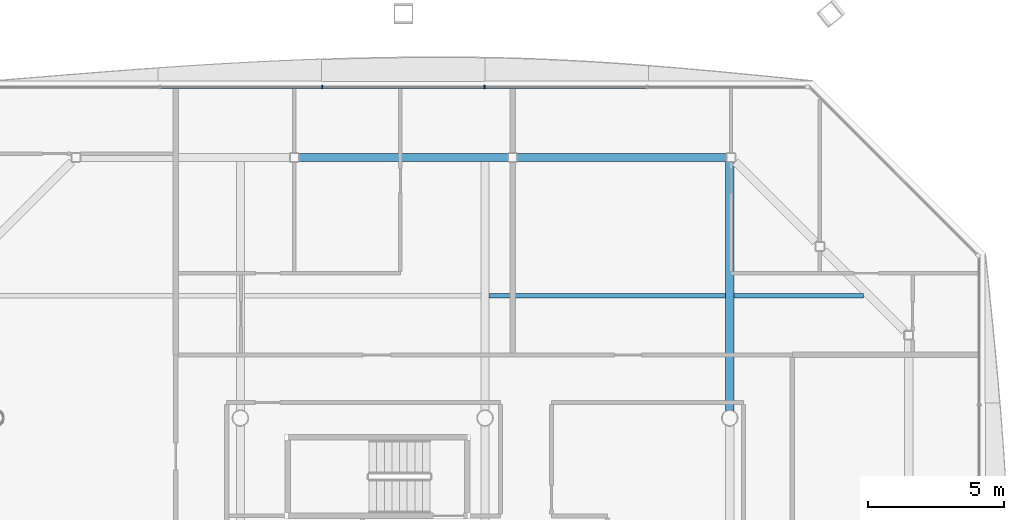
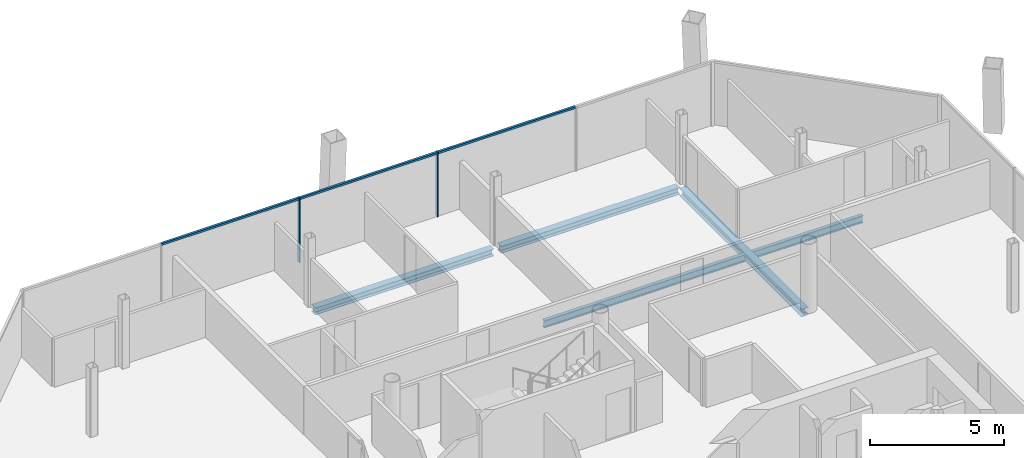
# One storey, part 11 of 20: 5 beams, 5 members, 1 element without a shape of its own.
"""IFC4 building model written with IfcOpenShell, lengths in metres."""

from ifc_helpers import new_model, si_unit, direction, frame, origin, origin_2d, place, context, subcontext, project, spatial, rectangle, i_section, extrude, material, material_profile, profile_set, type_object, element, aggregate, save


model = new_model("IFC4")

# Units and contexts
model_context = context("Model", 3, precision=1e-05, world=origin(), true_north=direction((0.0, 1.0)))
body_context = subcontext(model_context, "Body", "Model", "MODEL_VIEW")
ifc_project = project(units=[si_unit("LENGTHUNIT", "METRE"), si_unit("AREAUNIT", "SQUARE_METRE"), si_unit("VOLUMEUNIT", "CUBIC_METRE"), si_unit("PLANEANGLEUNIT", "RADIAN"), si_unit("MASSUNIT", "GRAM", prefix="KILO")], contexts=[model_context])

# Site, building, storey
site_placement = place(None, origin())
site = spatial("IfcSite", under=ifc_project, at=site_placement, CompositionType="ELEMENT")
building_placement = place(site_placement, origin())
building = spatial("IfcBuilding", under=site, at=building_placement, Name="Tskaro Facet Tower", CompositionType="ELEMENT")
storey_placement = place(building_placement, frame((0.0, 0.0, 178.5)))
storey = spatial("IfcBuildingStorey", under=building, at=storey_placement, Name="L44", CompositionType="ELEMENT", Elevation=178.5)

# Curtain wall, members
ifc_material_1 = material(Name="Bronze anodised aluminium 6063-T6", Category="aluminium")
curtain_wall_type = type_object("IfcCurtainWallType", Name="Bronze residence curtain wall (FW3)", PredefinedType="NOTDEFINED", material=ifc_material_1)
curtain_wall_placement = place(storey_placement, origin())
curtain_wall = element("IfcCurtainWall", 1, at=curtain_wall_placement, inside=storey, type_object=curtain_wall_type, Name="FW3 north facet L44", PredefinedType="NOTDEFINED")
ifc_material_profile_1 = material_profile(ifc_material_1, rectangle(XDim=0.050048828125, YDim=0.139892578125, at=origin_2d()), Name="Mullion 50x140")
ifc_profile_set_1 = profile_set([ifc_material_profile_1], Name="Bronze anodised aluminium 6063-T6")
member_type_1 = type_object("IfcMemberType", Name="FW3 bronze mullion 50x140", PredefinedType="MULLION", material=ifc_profile_set_1)
member_1_placement = place(storey_placement, frame((-0.013916015625, 21.176025390625, 0.0), z_axis=(0.0, 0.0, 1.0), x_axis=(-1.0, 0.0, 0.0)))
member_1 = element("IfcMember", 2, at=member_1_placement, type_object=member_type_1, Name="FW3 north mullion 2", PredefinedType="MULLION", context=body_context, shape_type="SweptSolid", body=[
    extrude(rectangle(XDim=0.050048828125, YDim=0.139892578125, at=origin_2d()), origin(), (0.0, 0.0, 1.0), 2.949951171875),
])
member_2_placement = place(storey_placement, frame((-5.986083984375, 21.176025390625, 0.0), z_axis=(0.0, 0.0, 1.0), x_axis=(-1.0, 0.0, 0.0)))
member_2 = element("IfcMember", 3, at=member_2_placement, type_object=member_type_1, Name="FW3 north mullion 3", PredefinedType="MULLION", context=body_context, shape_type="SweptSolid", body=[
    extrude(rectangle(XDim=0.050048828125, YDim=0.139892578125, at=origin_2d()), origin(), (0.0, 0.0, 1.0), 2.949951171875),
])
ifc_material_profile_2 = material_profile(ifc_material_1, rectangle(XDim=0.10009765625, YDim=0.090087890625, at=origin_2d()), Name="Transom 100x90")
ifc_profile_set_2 = profile_set([ifc_material_profile_2], Name="Bronze anodised aluminium 6063-T6")
member_type_2 = type_object("IfcMemberType", Name="FW3 bronze transom 100x90", PredefinedType="USERDEFINED", material=ifc_profile_set_2)
member_3_placement = place(storey_placement, frame((5.93359375, 21.176025390625, 2.905029296875), z_axis=(-1.0, 0.0, 0.0), x_axis=(0.0, -1.0, 0.0)))
member_3 = element("IfcMember", 4, at=member_3_placement, type_object=member_type_2, Name="FW3 north transom 2.1", ObjectType="TRANSOM", PredefinedType="USERDEFINED", context=body_context, shape_type="SweptSolid", body=[
    extrude(rectangle(XDim=0.10009765625, YDim=0.090087890625, at=origin_2d()), origin(), (0.0, 0.0, 1.0), 5.92236328125),
])
member_4_placement = place(storey_placement, frame((-0.038818359375, 21.176025390625, 2.905029296875), z_axis=(-1.0, 0.0, 0.0), x_axis=(0.0, -1.0, 0.0)))
member_4 = element("IfcMember", 5, at=member_4_placement, type_object=member_type_2, Name="FW3 north transom 3.1", ObjectType="TRANSOM", PredefinedType="USERDEFINED", context=body_context, shape_type="SweptSolid", body=[
    extrude(rectangle(XDim=0.10009765625, YDim=0.090087890625, at=origin_2d()), origin(), (0.0, 0.0, 1.0), 5.92236328125),
])
member_5_placement = place(storey_placement, frame((-6.01123046875, 21.176025390625, 2.905029296875), z_axis=(-1.0, 0.0, 0.0), x_axis=(0.0, -1.0, 0.0)))
member_5 = element("IfcMember", 6, at=member_5_placement, type_object=member_type_2, Name="FW3 north transom 4.1", ObjectType="TRANSOM", PredefinedType="USERDEFINED", context=body_context, shape_type="SweptSolid", body=[
    extrude(rectangle(XDim=0.10009765625, YDim=0.090087890625, at=origin_2d()), origin(), (0.0, 0.0, 1.0), 5.92236328125),
])
aggregate(curtain_wall, [member_1, member_2, member_3, member_4, member_5])

# Beams
ifc_material_2 = material(Name="Steel S355J2", Category="steel")
ifc_material_profile_3 = material_profile(ifc_material_2, i_section(OverallWidth=0.300048828125, OverallDepth=0.320068359375, WebThickness=0.011474609375, FlangeThickness=0.0205078125, FilletRadius=0.027099609375, at=origin_2d()), Name="HE 320 B")
ifc_profile_set_3 = profile_set([ifc_material_profile_3], Name="Steel S355J2")
beam_type_1 = type_object("IfcBeamType", Name="HE 320 B ring beam", PredefinedType="BEAM", material=ifc_profile_set_3)
beam_1_placement = place(storey_placement, frame((8.89111328125, 18.5830078125, -0.300048828125), z_axis=(-1.0, 0.0, 0.0), x_axis=(0.0, -1.0, 0.0)))
element("IfcBeam", 7, at=beam_1_placement, inside=storey, type_object=beam_type_1, Name="HE 320 B EB12-4", PredefinedType="BEAM", context=body_context, shape_type="SweptSolid", body=[
    extrude(i_section(OverallWidth=0.300048828125, OverallDepth=0.320068359375, WebThickness=0.011474609375, FlangeThickness=0.0205078125, FilletRadius=0.027099609375, at=origin_2d()), origin(), (0.0, 0.0, 1.0), 7.72119140625),
])
beam_2_placement = place(storey_placement, frame((0.860107421875, 18.5830078125, -0.300048828125), z_axis=(-1.0, 0.0, 0.0), x_axis=(0.0, -1.0, 0.0)))
element("IfcBeam", 8, at=beam_2_placement, inside=storey, type_object=beam_type_1, Name="HE 320 B EB13-4", PredefinedType="BEAM", context=body_context, shape_type="SweptSolid", body=[
    extrude(i_section(OverallWidth=0.300048828125, OverallDepth=0.320068359375, WebThickness=0.011474609375, FlangeThickness=0.0205078125, FilletRadius=0.027099609375, at=origin_2d()), origin(), (0.0, 0.0, 1.0), 7.72021484375),
])
ifc_material_profile_4 = material_profile(ifc_material_2, i_section(OverallWidth=0.300048828125, OverallDepth=0.35009765625, WebThickness=0.010009765625, FlangeThickness=0.017578125, FilletRadius=0.027099609375, at=origin_2d()), Name="HE 360 A")
ifc_profile_set_4 = profile_set([ifc_material_profile_4], Name="Steel S355J2")
beam_type_2 = type_object("IfcBeamType", Name="HE 360 A girder", PredefinedType="BEAM", material=ifc_profile_set_4)
beam_3_placement = place(storey_placement, frame((9.0, 9.27490234375, -0.31494140625), z_axis=(0.0, 1.0, 0.0), x_axis=(-1.0, 0.0, 0.0)))
element("IfcBeam", 9, at=beam_3_placement, inside=storey, type_object=beam_type_2, Name="HE 360 A GB5-3-4", PredefinedType="BEAM", context=body_context, shape_type="SweptSolid", body=[
    extrude(i_section(OverallWidth=0.300048828125, OverallDepth=0.35009765625, WebThickness=0.010009765625, FlangeThickness=0.017578125, FilletRadius=0.027099609375, at=origin_2d()), origin(), (0.0, 0.0, 1.0), 9.14208984375),
])
ifc_material_profile_5 = material_profile(ifc_material_2, i_section(OverallWidth=0.159912109375, OverallDepth=0.330078125, WebThickness=0.007568359375, FlangeThickness=0.011474609375, FilletRadius=0.01806640625, at=origin_2d()), Name="IPE 330")
ifc_profile_set_5 = profile_set([ifc_material_profile_5], Name="Steel S355J2")
beam_type_3 = type_object("IfcBeamType", Name="IPE 330 secondary beam", PredefinedType="BEAM", material=ifc_profile_set_5)
beam_4_placement = place(storey_placement, frame((0.14990234375, 13.5, -0.304931640625), z_axis=(1.0, 0.0, 0.0), x_axis=(0.0, 1.0, 0.0)))
element("IfcBeam", 10, at=beam_4_placement, inside=storey, type_object=beam_type_3, Name="IPE 330 SB5a-4-4", PredefinedType="BEAM", context=body_context, shape_type="SweptSolid", body=[
    extrude(i_section(OverallWidth=0.159912109375, OverallDepth=0.330078125, WebThickness=0.007568359375, FlangeThickness=0.011474609375, FilletRadius=0.01806640625, at=origin_2d()), origin(), (0.0, 0.0, 1.0), 8.7001953125),
])
beam_5_placement = place(storey_placement, frame((9.14990234375, 13.5, -0.304931640625), z_axis=(1.0, 0.0, 0.0), x_axis=(0.0, 1.0, 0.0)))
element("IfcBeam", 11, at=beam_5_placement, inside=storey, type_object=beam_type_3, Name="IPE 330 SB5a-5-4", PredefinedType="BEAM", context=body_context, shape_type="SweptSolid", body=[
    extrude(i_section(OverallWidth=0.159912109375, OverallDepth=0.330078125, WebThickness=0.007568359375, FlangeThickness=0.011474609375, FilletRadius=0.01806640625, at=origin_2d()), origin(), (0.0, 0.0, 1.0), 4.76708984375),
])

save(model, "model.ifc")
